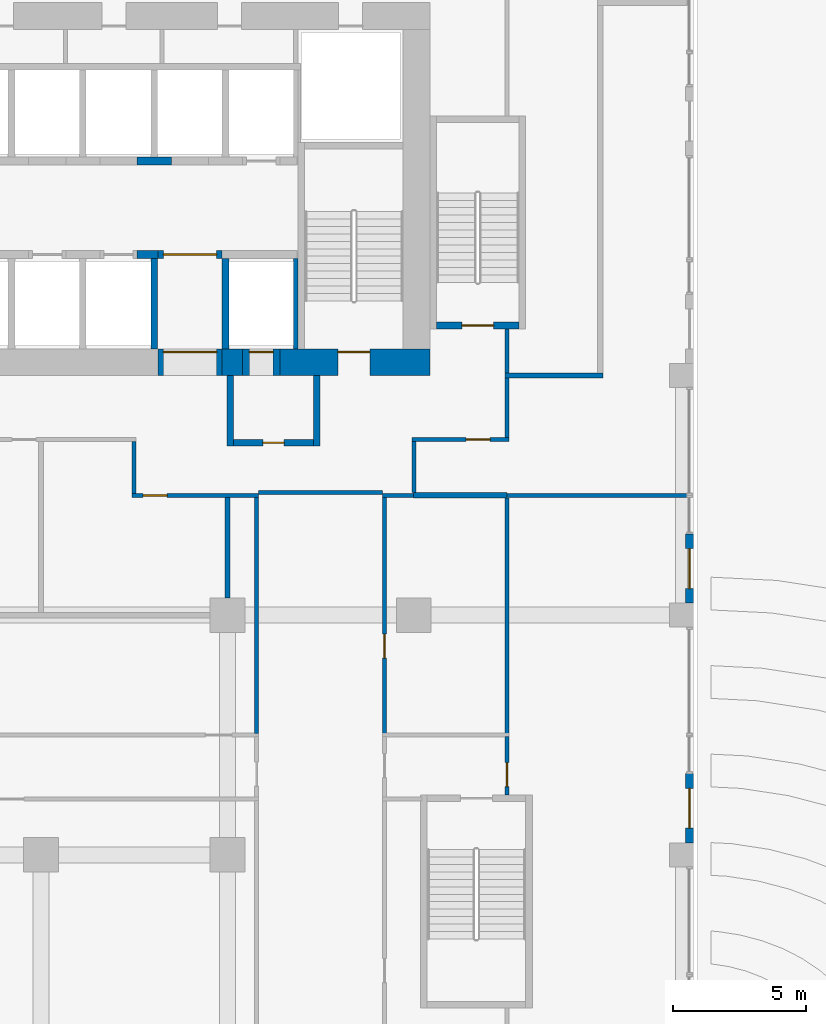
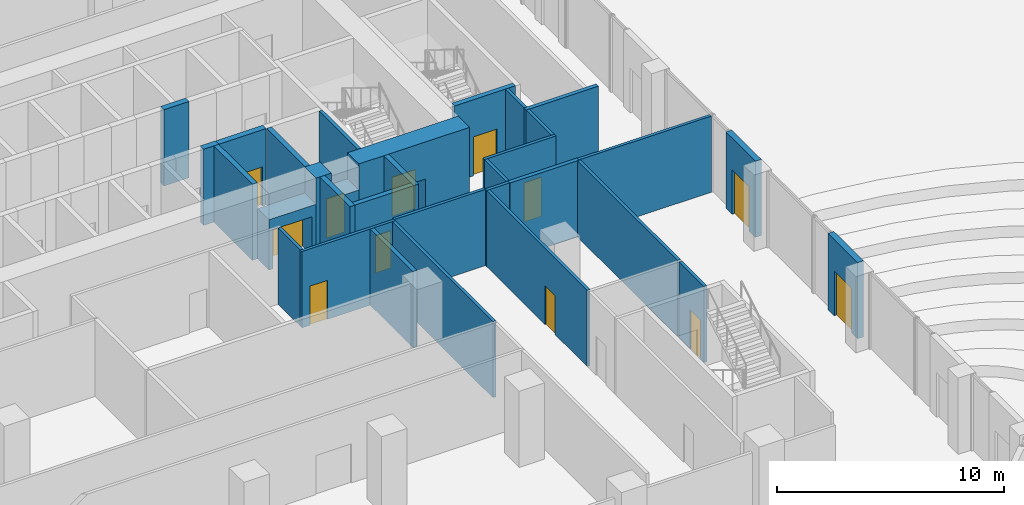
# One storey, part 23 of 38: 32 walls, 12 doors, 12 openings.
"""IFC4 building model written with IfcOpenShell, lengths in metres."""

from ifc_helpers import new_model, si_unit, direction, frame, frame_2d, origin, place, context, subcontext, project, spatial, rectangle, extrude, source, transform, mapped, material, layer, layer_set, type_object, element, fill, save


model = new_model("IFC4")

# Units and contexts
model_context = context("Model", 3, precision=1e-05, world=origin(), true_north=direction((0.0, 1.0)))
body_context = subcontext(model_context, "Body", "Model", "MODEL_VIEW")
ifc_project = project(units=[si_unit("LENGTHUNIT", "METRE"), si_unit("AREAUNIT", "SQUARE_METRE"), si_unit("VOLUMEUNIT", "CUBIC_METRE"), si_unit("PLANEANGLEUNIT", "RADIAN"), si_unit("MASSUNIT", "GRAM", prefix="KILO")], contexts=[model_context])

# Site, building, storey
site_placement = place(None, origin())
site = spatial("IfcSite", under=ifc_project, at=site_placement, CompositionType="ELEMENT")
building_placement = place(site_placement, origin())
building = spatial("IfcBuilding", under=site, at=building_placement, Name="Kilnfold Tower and Market Hall", CompositionType="ELEMENT")
storey_placement = place(building_placement, frame((0.0, 0.0, 9.0)))
storey = spatial("IfcBuildingStorey", under=building, at=storey_placement, Name="L01", CompositionType="ELEMENT", Elevation=9.0)

# Wall, opening, door
ifc_material_1 = material(Name="Gypsum board on steel studs", Category="steel")
ifc_layer_1 = layer(ifc_material_1, 0.14990234375)
ifc_layer_set_1 = layer_set([ifc_layer_1], Name="Gypsum board on steel studs")
wall_type_1 = type_object("IfcWallType", Name="WALL CORRIDOR 150", PredefinedType="PARTITIONING", material=ifc_layer_set_1)
wall_1_placement = place(storey_placement, frame((21.0, -7.75, 0.0), z_axis=(0.0, 0.0, 1.0), x_axis=(0.0, 1.0, 0.0)))
wall_1 = element("IfcWall", 1, at=wall_1_placement, inside=storey, type_object=wall_type_1, Name="Partition LY02.1", PredefinedType="PARTITIONING", context=body_context, shape_type="SweptSolid", body=[
    extrude(rectangle(XDim=2.18505859375, YDim=0.14990234375, at=frame_2d((1.092529296875, 0.0))), origin(), (0.0, 0.0, 1.0), 4.10009765625),
])
opening_1_placement = place(wall_1_placement, frame((0.31103515625, 0.0, 0.0)))
opening_1 = element("IfcOpeningElement", 2, at=opening_1_placement, cuts=wall_1, Name="Opening D2", PredefinedType="OPENING", context=body_context, shape_type="SweptSolid", body=[
    extrude(rectangle(XDim=0.89990234375, YDim=2.10009765625, at=frame_2d((0.449951171875, 1.050048828125))), frame((0.0, 0.0849609375, 0.0), z_axis=(0.0, -1.0, 0.0), x_axis=(1.0, 0.0, 0.0)), (0.0, 0.0, 1.0), 0.169921875),
])
ifc_material_2 = material(Name="Timber veneer door leaf in steel frame", Category="steel")
door_type_1 = type_object("IfcDoorType", Name="DOOR ROOM 900 X2100", OperationType="NOTDEFINED", PredefinedType="DOOR", material=ifc_material_2)
door_1_placement = place(opening_1_placement, origin())
door_1 = element("IfcDoor", 3, at=door_1_placement, inside=storey, type_object=door_type_1, Name="Door D2", OperationType="SINGLE_SWING_RIGHT", OverallHeight=2.10009765625, OverallWidth=0.89990234375, PredefinedType="DOOR", context=body_context, shape_type="SweptSolid", body=[
    extrude(rectangle(XDim=0.89990234375, YDim=2.10009765625, at=frame_2d((0.449951171875, 1.050048828125))), frame((0.0, 0.02490234375, 0.0), z_axis=(0.0, -1.0, 0.0), x_axis=(1.0, 0.0, 0.0)), (0.0, 0.0, 1.0), 0.050048828125),
])
fill(opening_1, door_1)

# Walls
wall_2_placement = place(storey_placement, frame((21.0, -5.43408203125, 0.0), z_axis=(0.0, 0.0, 1.0), x_axis=(0.0, 1.0, 0.0)))
element("IfcWall", 4, at=wall_2_placement, inside=storey, type_object=wall_type_1, Name="Partition LY02.6", PredefinedType="PARTITIONING", context=body_context, shape_type="SweptSolid", body=[
    extrude(rectangle(XDim=8.833984375, YDim=0.14990234375, at=frame_2d((4.4169921875, 0.0))), origin(), (0.0, 0.0, 1.0), 4.10009765625),
])
wall_3_placement = place(storey_placement, frame((20.9990234375, 3.5, 0.0), z_axis=(0.0, 0.0, 1.0), x_axis=(1.0, 0.0, 0.0)))
element("IfcWall", 5, at=wall_3_placement, inside=storey, type_object=wall_type_1, Name="Partition LY02.7", PredefinedType="PARTITIONING", context=body_context, shape_type="SweptSolid", body=[
    extrude(rectangle(XDim=6.7509765625, YDim=0.14990234375, at=frame_2d((3.37548828125, 0.0))), origin(), (0.0, 0.0, 1.0), 4.10009765625),
])
wall_4_placement = place(storey_placement, frame((16.324951171875, 3.60009765625, 0.0), z_axis=(0.0, 0.0, 1.0), x_axis=(-1.0, 0.0, 0.0)))
element("IfcWall", 6, at=wall_4_placement, inside=storey, type_object=wall_type_1, Name="Partition LY02.12", PredefinedType="PARTITIONING", context=body_context, shape_type="SweptSolid", body=[
    extrude(rectangle(XDim=4.64990234375, YDim=0.14990234375, at=frame_2d((2.324951171875, 0.0))), origin(), (0.0, 0.0, 1.0), 4.10009765625),
])
wall_5_placement = place(storey_placement, frame((11.60009765625, -5.43408203125, 0.0), z_axis=(0.0, 0.0, 1.0), x_axis=(0.0, 1.0, 0.0)))
element("IfcWall", 7, at=wall_5_placement, inside=storey, type_object=wall_type_1, Name="Partition LY02.14", PredefinedType="PARTITIONING", context=body_context, shape_type="SweptSolid", body=[
    extrude(rectangle(XDim=8.8681640625, YDim=0.14990234375, at=frame_2d((4.43408203125, 0.0))), origin(), (0.0, 0.0, 1.0), 4.10009765625),
])

# Wall, opening, door
wall_6_placement = place(storey_placement, frame((16.39990234375, -5.43408203125, 0.0), z_axis=(0.0, 0.0, 1.0), x_axis=(0.0, 1.0, 0.0)))
wall_6 = element("IfcWall", 8, at=wall_6_placement, inside=storey, type_object=wall_type_1, Name="Partition LY02.15", PredefinedType="PARTITIONING", context=body_context, shape_type="SweptSolid", body=[
    extrude(rectangle(XDim=8.8681640625, YDim=0.14990234375, at=frame_2d((4.43408203125, 0.0))), origin(), (0.0, 0.0, 1.0), 4.10009765625),
])
opening_2_placement = place(wall_6_placement, frame((2.823974609375, 0.0, 0.0)))
opening_2 = element("IfcOpeningElement", 9, at=opening_2_placement, cuts=wall_6, Name="Opening D2", PredefinedType="OPENING", context=body_context, shape_type="SweptSolid", body=[
    extrude(rectangle(XDim=0.89990234375, YDim=2.10009765625, at=frame_2d((0.449951171875, 1.050048828125))), frame((0.0, 0.0849609375, 0.0), z_axis=(0.0, -1.0, 0.0), x_axis=(1.0, 0.0, 0.0)), (0.0, 0.0, 1.0), 0.169921875),
])
door_2_placement = place(opening_2_placement, origin())
door_2 = element("IfcDoor", 10, at=door_2_placement, inside=storey, type_object=door_type_1, Name="Door D2", OperationType="SINGLE_SWING_LEFT", OverallHeight=2.10009765625, OverallWidth=0.89990234375, PredefinedType="DOOR", context=body_context, shape_type="SweptSolid", body=[
    extrude(rectangle(XDim=0.89990234375, YDim=2.10009765625, at=frame_2d((0.449951171875, 1.050048828125))), frame((0.0, 0.02490234375, 0.0), z_axis=(0.0, -1.0, 0.0), x_axis=(1.0, 0.0, 0.0)), (0.0, 0.0, 1.0), 0.050048828125),
])
fill(opening_2, door_2)

wall_7_placement = place(storey_placement, frame((6.925048828125, 3.5, 0.0), z_axis=(0.0, 0.0, 1.0), x_axis=(1.0, 0.0, 0.0)))
wall_7 = element("IfcWall", 11, at=wall_7_placement, inside=storey, type_object=wall_type_1, Name="Partition LY02.34", PredefinedType="PARTITIONING", context=body_context, shape_type="SweptSolid", body=[
    extrude(rectangle(XDim=4.75, YDim=0.14990234375, at=frame_2d((2.375, 0.0))), origin(), (0.0, 0.0, 1.0), 4.10009765625),
])
opening_3_placement = place(wall_7_placement, frame((0.407958984375, 0.0, 0.0)))
opening_3 = element("IfcOpeningElement", 12, at=opening_3_placement, cuts=wall_7, Name="Opening D2", PredefinedType="OPENING", context=body_context, shape_type="SweptSolid", body=[
    extrude(rectangle(XDim=0.89990234375, YDim=2.10009765625, at=frame_2d((0.449951171875, 1.050048828125))), frame((0.0, 0.0849609375, 0.0), z_axis=(0.0, -1.0, 0.0), x_axis=(1.0, 0.0, 0.0)), (0.0, 0.0, 1.0), 0.169921875),
])
door_3_placement = place(opening_3_placement, origin())
door_3 = element("IfcDoor", 13, at=door_3_placement, inside=storey, type_object=door_type_1, Name="Door D2", OperationType="SINGLE_SWING_LEFT", OverallHeight=2.10009765625, OverallWidth=0.89990234375, PredefinedType="DOOR", context=body_context, shape_type="SweptSolid", body=[
    extrude(rectangle(XDim=0.89990234375, YDim=2.10009765625, at=frame_2d((0.449951171875, 1.050048828125))), frame((0.0, 0.02490234375, 0.0), z_axis=(0.0, -1.0, 0.0), x_axis=(1.0, 0.0, 0.0)), (0.0, 0.0, 1.0), 0.050048828125),
])
fill(opening_3, door_3)

# Walls
wall_8_placement = place(storey_placement, frame((7.0, 5.52490234375, 0.0), z_axis=(0.0, 0.0, 1.0), x_axis=(0.0, -1.0, 0.0)))
element("IfcWall", 14, at=wall_8_placement, inside=storey, type_object=wall_type_1, Name="Partition LY02.35", PredefinedType="PARTITIONING", context=body_context, shape_type="SweptSolid", body=[
    extrude(rectangle(XDim=1.949951171875, YDim=0.14990234375, at=frame_2d((0.97509765625, 0.0))), origin(), (0.0, 0.0, 1.0), 4.10009765625),
])
wall_9_placement = place(storey_placement, frame((21.0, 8.090087890625, 0.0), z_axis=(0.0, 0.0, 1.0), x_axis=(0.0, 1.0, 0.0)))
element("IfcWall", 15, at=wall_9_placement, inside=storey, type_object=wall_type_1, Name="Partition LY02.36", PredefinedType="PARTITIONING", context=body_context, shape_type="SweptSolid", body=[
    extrude(rectangle(XDim=1.659912109375, YDim=0.14990234375, at=frame_2d((0.830078125, 0.0))), origin(), (0.0, 0.0, 1.0), 4.10009765625),
])
wall_10_placement = place(storey_placement, frame((16.324951171875, 3.5, 0.0), z_axis=(0.0, 0.0, 1.0), x_axis=(1.0, 0.0, 0.0)))
element("IfcWall", 16, at=wall_10_placement, inside=storey, type_object=wall_type_1, Name="Partition LY02.38", PredefinedType="PARTITIONING", context=body_context, shape_type="SweptSolid", body=[
    extrude(rectangle(XDim=1.166015625, YDim=0.14990234375, at=frame_2d((0.5830078125, 0.0))), origin(), (0.0, 0.0, 1.0), 4.10009765625),
])
wall_11_placement = place(storey_placement, frame((21.0, 5.675048828125, 0.0), z_axis=(0.0, 0.0, 1.0), x_axis=(0.0, 1.0, 0.0)))
element("IfcWall", 17, at=wall_11_placement, inside=storey, type_object=wall_type_1, Name="Partition LY02.39", PredefinedType="PARTITIONING", context=body_context, shape_type="SweptSolid", body=[
    extrude(rectangle(XDim=2.23486328125, YDim=0.14990234375, at=frame_2d((1.117431640625, 0.0))), origin(), (0.0, 0.0, 1.0), 4.10009765625),
])

# Wall, opening, door
wall_12_placement = place(storey_placement, frame((17.425048828125, 5.60009765625, 0.0), z_axis=(0.0, 0.0, 1.0), x_axis=(1.0, 0.0, 0.0)))
wall_12 = element("IfcWall", 18, at=wall_12_placement, inside=storey, type_object=wall_type_1, Name="Partition LY02.40", PredefinedType="PARTITIONING", context=body_context, shape_type="SweptSolid", body=[
    extrude(rectangle(XDim=3.64990234375, YDim=0.14990234375, at=frame_2d((1.824951171875, 0.0))), origin(), (0.0, 0.0, 1.0), 4.10009765625),
])
opening_4_placement = place(wall_12_placement, frame((2.0390625, 0.0, 0.0)))
opening_4 = element("IfcOpeningElement", 19, at=opening_4_placement, cuts=wall_12, Name="Opening D2", PredefinedType="OPENING", context=body_context, shape_type="SweptSolid", body=[
    extrude(rectangle(XDim=0.89990234375, YDim=2.10009765625, at=frame_2d((0.449951171875, 1.050048828125))), frame((0.0, 0.0849609375, 0.0), z_axis=(0.0, -1.0, 0.0), x_axis=(1.0, 0.0, 0.0)), (0.0, 0.0, 1.0), 0.169921875),
])
door_4_placement = place(opening_4_placement, origin())
door_4 = element("IfcDoor", 20, at=door_4_placement, inside=storey, type_object=door_type_1, Name="Door D2", OperationType="SINGLE_SWING_LEFT", OverallHeight=2.10009765625, OverallWidth=0.89990234375, PredefinedType="DOOR", context=body_context, shape_type="SweptSolid", body=[
    extrude(rectangle(XDim=0.89990234375, YDim=2.10009765625, at=frame_2d((0.449951171875, 1.050048828125))), frame((0.0, 0.02490234375, 0.0), z_axis=(0.0, -1.0, 0.0), x_axis=(1.0, 0.0, 0.0)), (0.0, 0.0, 1.0), 0.050048828125),
])
fill(opening_4, door_4)

# Walls
wall_13_placement = place(storey_placement, frame((17.5, 3.59912109375, 0.0), z_axis=(0.0, 0.0, 1.0), x_axis=(0.0, 1.0, 0.0)))
element("IfcWall", 21, at=wall_13_placement, inside=storey, type_object=wall_type_1, Name="Partition LY02.41", PredefinedType="PARTITIONING", context=body_context, shape_type="SweptSolid", body=[
    extrude(rectangle(XDim=1.92578125, YDim=0.14990234375, at=frame_2d((0.962890625, 0.0))), origin(), (0.0, 0.0, 1.0), 4.10009765625),
])
ifc_material_3 = material(Name="Gypsum board on steel studs", Category="steel")
ifc_layer_2 = layer(ifc_material_3, 0.199951171875)
ifc_layer_set_2 = layer_set([ifc_layer_2], Name="Gypsum board on steel studs")
wall_type_2 = type_object("IfcWallType", Name="WALL PARTY 200", PredefinedType="PARTITIONING", material=ifc_layer_set_2)
wall_14_placement = place(storey_placement, frame((10.5, -0.35009765625, 0.0), z_axis=(0.0, 0.0, 1.0), x_axis=(0.0, 1.0, 0.0)))
element("IfcWall", 22, at=wall_14_placement, inside=storey, type_object=wall_type_2, Name="Partition LY02.57", PredefinedType="PARTITIONING", context=body_context, shape_type="SweptSolid", body=[
    extrude(rectangle(XDim=3.774169921875, YDim=0.199951171875, at=frame_2d((1.88720703125, 0.0))), origin(), (0.0, 0.0, 1.0), 4.10009765625),
])
wall_15_placement = place(storey_placement, frame((20.926025390625, 8.0, 0.0), z_axis=(0.0, 0.0, 1.0), x_axis=(1.0, 0.0, 0.0)))
element("IfcWall", 23, at=wall_15_placement, inside=storey, type_object=wall_type_2, Name="Partition LY02.60", PredefinedType="PARTITIONING", context=body_context, shape_type="SweptSolid", body=[
    extrude(rectangle(XDim=3.674072265625, YDim=0.199951171875, at=frame_2d((1.8369140625, 0.0))), origin(), (0.0, 0.0, 1.0), 4.10009765625),
])
wall_16_placement = place(storey_placement, frame((20.9990234375, 3.5, 0.0), z_axis=(0.0, 0.0, 1.0), x_axis=(-0.999999961253, -0.000278377051, 0.0)))
element("IfcWall", 24, at=wall_16_placement, inside=storey, type_object=wall_type_2, Name="Partition LY02.62", PredefinedType="PARTITIONING", context=body_context, shape_type="SweptSolid", body=[
    extrude(rectangle(XDim=3.508056640625, YDim=0.199951171875, at=frame_2d((1.75390625, 0.0))), origin(), (0.0, 0.0, 1.0), 4.10009765625),
])
ifc_material_4 = material(Name="Concrete C80", Category="concrete")
ifc_layer_3 = layer(ifc_material_4, 1.0)
ifc_layer_set_3 = layer_set([ifc_layer_3], Name="Concrete C80")
wall_type_3 = type_object("IfcWallType", Name="CORE WALL 1000 C80", PredefinedType="SHEAR", material=ifc_layer_set_3)
shared_shape_1 = source(origin(), body_context, "Body", "SweptSolid", [
    extrude(rectangle(XDim=0.780029296875, YDim=1.0, at=frame_2d((0.39013671875, 0.0))), origin(), (0.0, 0.0, 1.0), 4.10009765625),
])
wall_17_placement = place(storey_placement, frame((10.2900390625, 8.5, 0.0), z_axis=(0.0, 0.0, 1.0), x_axis=(1.0, 0.0, 0.0)))
element("IfcWall", 25, at=wall_17_placement, inside=storey, type_object=wall_type_3, Name="Core outer wall south", PredefinedType="SHEAR", context=body_context, shape_type="MappedRepresentation", body=[
    mapped(shared_shape_1, transform((0.0, 0.0, 0.0))),
])

# Wall, opening, door
shared_shape_2 = source(origin(), body_context, "Body", "SweptSolid", [
    extrude(rectangle(XDim=5.630126953125, YDim=1.0, at=frame_2d((2.81494140625, 0.0))), origin(), (0.0, 0.0, 1.0), 4.10009765625),
])
wall_18_placement = place(storey_placement, frame((12.469970703125, 8.5, 0.0), z_axis=(0.0, 0.0, 1.0), x_axis=(1.0, 0.0, 0.0)))
wall_18 = element("IfcWall", 26, at=wall_18_placement, inside=storey, type_object=wall_type_3, Name="Core outer wall south", PredefinedType="SHEAR", context=body_context, shape_type="MappedRepresentation", body=[
    mapped(shared_shape_2, transform((0.0, 0.0, 0.0))),
])
opening_5_placement = place(wall_18_placement, frame((2.179931640625, 0.0, 0.0)))
opening_5 = element("IfcOpeningElement", 27, at=opening_5_placement, cuts=wall_18, Name="Opening SD1", PredefinedType="OPENING", context=body_context, shape_type="SweptSolid", body=[
    extrude(rectangle(XDim=1.199951171875, YDim=2.10009765625, at=frame_2d((0.60009765625, 1.050048828125))), frame((0.0, 0.510009765625, 0.0), z_axis=(0.0, -1.0, 0.0), x_axis=(1.0, 0.0, 0.0)), (0.0, 0.0, 1.0), 1.02001953125),
])
ifc_material_5 = material(Name="Steel door set with fire-resisting leaf", Category="steel")
door_type_2 = type_object("IfcDoorType", Name="STAIR FLOOR DOOR 1200X2100", OperationType="NOTDEFINED", PredefinedType="DOOR", material=ifc_material_5)
door_5_placement = place(opening_5_placement, origin())
door_5 = element("IfcDoor", 28, at=door_5_placement, inside=storey, type_object=door_type_2, Name="Exit stair ST2 door", OperationType="DOUBLE_DOOR_SINGLE_SWING", OverallHeight=2.10009765625, OverallWidth=1.199951171875, PredefinedType="DOOR", context=body_context, shape_type="SweptSolid", body=[
    extrude(rectangle(XDim=1.199951171875, YDim=2.10009765625, at=frame_2d((0.60009765625, 1.050048828125))), frame((0.0, 0.40478515625, 0.0), z_axis=(0.0, -1.0, 0.0), x_axis=(1.0, 0.0, 0.0)), (0.0, 0.0, 1.0), 0.050048828125),
])
fill(opening_5, door_5)

ifc_material_6 = material(Name="Concrete C80", Category="concrete")
ifc_layer_4 = layer(ifc_material_6, 0.25)
ifc_layer_set_4 = layer_set([ifc_layer_4], Name="Concrete C80")
wall_type_4 = type_object("IfcWallType", Name="CORE WALL 250 C80", PredefinedType="SHEAR", material=ifc_layer_set_4)
shared_shape_3 = source(origin(), body_context, "Body", "SweptSolid", [
    extrude(rectangle(XDim=3.099853515625, YDim=0.25, at=frame_2d((1.5498046875, 0.0))), origin(), (0.0, 0.0, 1.0), 4.10009765625),
])
wall_19_placement = place(storey_placement, frame((18.35009765625, 9.875, 0.0), z_axis=(0.0, 0.0, 1.0), x_axis=(1.0, 0.0, 0.0)))
wall_19 = element("IfcWall", 29, at=wall_19_placement, inside=storey, type_object=wall_type_4, Name="Stair enclosure ST5", PredefinedType="SHEAR", context=body_context, shape_type="MappedRepresentation", body=[
    mapped(shared_shape_3, transform((0.0, 0.0, 0.0))),
])
opening_6_placement = place(wall_19_placement, frame((0.949951171875, 0.0, 0.0)))
opening_6 = element("IfcOpeningElement", 30, at=opening_6_placement, cuts=wall_19, Name="Opening SD1", PredefinedType="OPENING", context=body_context, shape_type="SweptSolid", body=[
    extrude(rectangle(XDim=1.199951171875, YDim=2.10009765625, at=frame_2d((0.60009765625, 1.050048828125))), frame((0.0, 0.135009765625, 0.0), z_axis=(0.0, -1.0, 0.0), x_axis=(1.0, 0.0, 0.0)), (0.0, 0.0, 1.0), 0.27001953125),
])
door_6_placement = place(opening_6_placement, origin())
door_6 = element("IfcDoor", 31, at=door_6_placement, inside=storey, type_object=door_type_2, Name="Exit stair ST5 door", OperationType="DOUBLE_DOOR_SINGLE_SWING", OverallHeight=2.10009765625, OverallWidth=1.199951171875, PredefinedType="DOOR", context=body_context, shape_type="SweptSolid", body=[
    extrude(rectangle(XDim=1.199951171875, YDim=2.10009765625, at=frame_2d((0.60009765625, 1.050048828125))), frame((0.0, 0.02490234375, 0.0), z_axis=(0.0, -1.0, 0.0), x_axis=(1.0, 0.0, 0.0)), (0.0, 0.0, 1.0), 0.050048828125),
])
fill(opening_6, door_6)

# Walls
ifc_material_7 = material(Name="Concrete C80", Category="concrete")
ifc_layer_5 = layer(ifc_material_7, 0.300048828125)
ifc_layer_set_5 = layer_set([ifc_layer_5], Name="Concrete C80")
wall_type_5 = type_object("IfcWallType", Name="CORE WALL 300 C80", PredefinedType="SHEAR", material=ifc_layer_set_5)
shared_shape_4 = source(origin(), body_context, "Body", "SweptSolid", [
    extrude(rectangle(XDim=0.77978515625, YDim=0.300048828125, at=frame_2d((0.389892578125, 0.0))), origin(), (0.0, 0.0, 1.0), 4.10009765625),
])
wall_20_placement = place(storey_placement, frame((7.110107421875, 12.550048828125, 0.0), z_axis=(0.0, 0.0, 1.0), x_axis=(1.0, 0.0, 0.0)))
element("IfcWall", 32, at=wall_20_placement, inside=storey, type_object=wall_type_5, Name="Core spine wall", PredefinedType="SHEAR", context=body_context, shape_type="MappedRepresentation", body=[
    mapped(shared_shape_4, transform((0.0, 0.0, 0.0))),
])
shared_shape_5 = source(origin(), body_context, "Body", "SweptSolid", [
    extrude(rectangle(XDim=1.27978515625, YDim=0.300048828125, at=frame_2d((0.639892578125, 0.0))), origin(), (0.0, 0.0, 1.0), 4.10009765625),
])
wall_21_placement = place(storey_placement, frame((7.110107421875, 16.050048828125, 0.0), z_axis=(0.0, 0.0, 1.0), x_axis=(1.0, 0.0, 0.0)))
element("IfcWall", 33, at=wall_21_placement, inside=storey, type_object=wall_type_5, Name="Core spine wall", PredefinedType="SHEAR", context=body_context, shape_type="MappedRepresentation", body=[
    mapped(shared_shape_5, transform((0.0, 0.0, 0.0))),
])

# Wall, opening, door
ifc_material_8 = material(Name="Precast concrete C50/60", Category="concrete")
ifc_layer_6 = layer(ifc_material_8, 0.300048828125)
ifc_layer_set_6 = layer_set([ifc_layer_6], Name="Precast concrete C50/60")
wall_type_6 = type_object("IfcWallType", Name="PRECAST WALL 300", PredefinedType="SOLIDWALL", material=ifc_layer_set_6)
shared_shape_6 = source(origin(), body_context, "Body", "SweptSolid", [
    extrude(rectangle(XDim=2.60009765625, YDim=0.300048828125, at=frame_2d((1.300048828125, 0.0))), origin(), (0.0, 0.0, 1.0), 4.10009765625),
])
wall_22_placement = place(storey_placement, frame((27.85009765625, -9.550048828125, 0.0), z_axis=(0.0, 0.0, 1.0), x_axis=(0.0, 1.0, 0.0)))
wall_22 = element("IfcWall", 34, at=wall_22_placement, inside=storey, type_object=wall_type_6, Name="Deck door wall L01 E", PredefinedType="SOLIDWALL", context=body_context, shape_type="MappedRepresentation", body=[
    mapped(shared_shape_6, transform((0.0, 0.0, 0.0))),
])
opening_7_placement = place(wall_22_placement, frame((0.550048828125, 0.0, 0.0)))
opening_7 = element("IfcOpeningElement", 35, at=opening_7_placement, cuts=wall_22, Name="Opening DD1", PredefinedType="OPENING", context=body_context, shape_type="SweptSolid", body=[
    extrude(rectangle(XDim=1.5, YDim=2.39990234375, at=frame_2d((0.75, 1.199951171875))), frame((0.0, 0.16015625, 0.0), z_axis=(0.0, -1.0, 0.0), x_axis=(1.0, 0.0, 0.0)), (0.0, 0.0, 1.0), 0.320068359375),
])
ifc_material_9 = material(Name="Aluminium frame and toughened glass", Category="aluminium")
door_type_3 = type_object("IfcDoorType", Name="DECK DOOR 1500X2400", OperationType="NOTDEFINED", PredefinedType="DOOR", material=ifc_material_9)
door_7_placement = place(opening_7_placement, origin())
door_7 = element("IfcDoor", 36, at=door_7_placement, inside=storey, type_object=door_type_3, Name="Garden deck door DD1 L01 E-1", OperationType="DOUBLE_DOOR_SINGLE_SWING", OverallHeight=2.39990234375, OverallWidth=1.5, PredefinedType="DOOR", context=body_context, shape_type="SweptSolid", body=[
    extrude(rectangle(XDim=1.5, YDim=2.39990234375, at=frame_2d((0.75, 1.199951171875))), frame((0.0, 0.02490234375, 0.0), z_axis=(0.0, -1.0, 0.0), x_axis=(1.0, 0.0, 0.0)), (0.0, 0.0, 1.0), 0.050048828125),
])
fill(opening_7, door_7)

wall_23_placement = place(storey_placement, frame((27.85009765625, -0.550048828125, 0.0), z_axis=(0.0, 0.0, 1.0), x_axis=(0.0, 1.0, 0.0)))
wall_23 = element("IfcWall", 37, at=wall_23_placement, inside=storey, type_object=wall_type_6, Name="Deck door wall L01 E", PredefinedType="SOLIDWALL", context=body_context, shape_type="MappedRepresentation", body=[
    mapped(shared_shape_6, transform((0.0, 0.0, 0.0))),
])
opening_8_placement = place(wall_23_placement, frame((0.550048828125, 0.0, 0.0)))
opening_8 = element("IfcOpeningElement", 38, at=opening_8_placement, cuts=wall_23, Name="Opening DD1", PredefinedType="OPENING", context=body_context, shape_type="SweptSolid", body=[
    extrude(rectangle(XDim=1.5, YDim=2.39990234375, at=frame_2d((0.75, 1.199951171875))), frame((0.0, 0.16015625, 0.0), z_axis=(0.0, -1.0, 0.0), x_axis=(1.0, 0.0, 0.0)), (0.0, 0.0, 1.0), 0.320068359375),
])
door_8_placement = place(opening_8_placement, origin())
door_8 = element("IfcDoor", 39, at=door_8_placement, inside=storey, type_object=door_type_3, Name="Garden deck door DD1 L01 E-1", OperationType="DOUBLE_DOOR_SINGLE_SWING", OverallHeight=2.39990234375, OverallWidth=1.5, PredefinedType="DOOR", context=body_context, shape_type="SweptSolid", body=[
    extrude(rectangle(XDim=1.5, YDim=2.39990234375, at=frame_2d((0.75, 1.199951171875))), frame((0.0, 0.02490234375, 0.0), z_axis=(0.0, -1.0, 0.0), x_axis=(1.0, 0.0, 0.0)), (0.0, 0.0, 1.0), 0.050048828125),
])
fill(opening_8, door_8)

# Walls
ifc_material_10 = material(Name="Gypsum shaft wall system")
ifc_layer_7 = layer(ifc_material_10, 0.25)
ifc_layer_set_7 = layer_set([ifc_layer_7], Name="Gypsum shaft wall system")
wall_type_7 = type_object("IfcWallType", Name="LOBBY WALL 250", PredefinedType="PARTITIONING", material=ifc_layer_set_7)
shared_shape_7 = source(origin(), body_context, "Body", "SweptSolid", [
    extrude(rectangle(XDim=2.64990234375, YDim=0.25, at=frame_2d((1.324951171875, 0.0))), origin(), (0.0, 0.0, 1.0), 4.10009765625),
])
for number, where, z_axis, x_axis, name in (
    (40, (10.60498046875, 5.35009765625, 0.0), (0.0, 0.0, 1.0), (0.0, 1.0, 0.0), "Firefighting lobby wall"),
    (41, (13.85498046875, 5.35009765625, 0.0), (0.0, 0.0, 1.0), (0.0, 1.0, 0.0), "Firefighting lobby wall"),
):
    element("IfcWall", number, at=place(storey_placement, frame(where, z_axis=z_axis, x_axis=x_axis)), inside=storey, type_object=wall_type_7, Name=name, PredefinedType="PARTITIONING", context=body_context, shape_type="MappedRepresentation", body=[
        mapped(shared_shape_7, transform((0.0, 0.0, 0.0))),
    ])

# Wall, opening, door
shared_shape_8 = source(origin(), body_context, "Body", "SweptSolid", [
    extrude(rectangle(XDim=3.0, YDim=0.25, at=frame_2d((1.5, 0.0))), origin(), (0.0, 0.0, 1.0), 4.10009765625),
])
wall_24_placement = place(storey_placement, frame((10.72998046875, 5.47509765625, 0.0), z_axis=(0.0, 0.0, 1.0), x_axis=(1.0, 0.0, 0.0)))
wall_24 = element("IfcWall", 42, at=wall_24_placement, inside=storey, type_object=wall_type_7, Name="Firefighting lobby wall", PredefinedType="PARTITIONING", context=body_context, shape_type="MappedRepresentation", body=[
    mapped(shared_shape_8, transform((0.0, 0.0, 0.0))),
])
opening_9_placement = place(wall_24_placement, frame((1.10009765625, 0.0, 0.0)))
opening_9 = element("IfcOpeningElement", 43, at=opening_9_placement, cuts=wall_24, Name="Opening VD1", PredefinedType="OPENING", context=body_context, shape_type="SweptSolid", body=[
    extrude(rectangle(XDim=0.800048828125, YDim=2.0, at=frame_2d((0.39990234375, 1.0))), frame((0.0, 0.135009765625, 0.0), z_axis=(0.0, -1.0, 0.0), x_axis=(1.0, 0.0, 0.0)), (0.0, 0.0, 1.0), 0.27001953125),
])
ifc_material_11 = material(Name="Steel door set with fire-resisting leaf", Category="steel")
door_type_4 = type_object("IfcDoorType", Name="FIREFIGHTING LOBBY DOOR 800X2000", OperationType="NOTDEFINED", PredefinedType="DOOR", material=ifc_material_11)
door_9_placement = place(opening_9_placement, origin())
door_9 = element("IfcDoor", 44, at=door_9_placement, inside=storey, type_object=door_type_4, Name="Firefighting lobby door", OperationType="SINGLE_SWING_RIGHT", OverallHeight=2.0, OverallWidth=0.800048828125, PredefinedType="DOOR", context=body_context, shape_type="SweptSolid", body=[
    extrude(rectangle(XDim=0.800048828125, YDim=2.0, at=frame_2d((0.39990234375, 1.0))), frame((0.0, 0.02490234375, 0.0), z_axis=(0.0, -1.0, 0.0), x_axis=(1.0, 0.0, 0.0)), (0.0, 0.0, 1.0), 0.050048828125),
])
fill(opening_9, door_9)

# Walls
ifc_material_12 = material(Name="Gypsum shaft wall system")
ifc_layer_8 = layer(ifc_material_12, 0.25)
ifc_layer_set_8 = layer_set([ifc_layer_8], Name="Gypsum shaft wall system")
wall_type_8 = type_object("IfcWallType", Name="SHAFT WALL 250", PredefinedType="PARTITIONING", material=ifc_layer_set_8)
shared_shape_9 = source(origin(), body_context, "Body", "SweptSolid", [
    extrude(rectangle(XDim=3.39990234375, YDim=0.25, at=frame_2d((1.699951171875, 0.0))), origin(), (0.0, 0.0, 1.0), 4.10009765625),
])
for number, where, z_axis, x_axis, name in (
    (45, (10.429931640625, 9.0, 0.0), (0.0, 0.0, 1.0), (0.0, 1.0, 0.0), "Lift shaft wall"),
    (46, (7.75, 9.0, 0.0), (0.0, 0.0, 1.0), (0.0, 1.0, 0.0), "Lift shaft wall"),
):
    element("IfcWall", number, at=place(storey_placement, frame(where, z_axis=z_axis, x_axis=x_axis)), inside=storey, type_object=wall_type_8, Name=name, PredefinedType="PARTITIONING", context=body_context, shape_type="MappedRepresentation", body=[
        mapped(shared_shape_9, transform((0.0, 0.0, 0.0))),
    ])
ifc_material_13 = material(Name="Gypsum shaft wall system")
ifc_layer_9 = layer(ifc_material_13, 0.1650390625)
ifc_layer_set_9 = layer_set([ifc_layer_9], Name="Gypsum shaft wall system")
wall_type_9 = type_object("IfcWallType", Name="SHAFT WALL 165", PredefinedType="PARTITIONING", material=ifc_layer_set_9)
shared_shape_10 = source(origin(), body_context, "Body", "SweptSolid", [
    extrude(rectangle(XDim=3.39990234375, YDim=0.1650390625, at=frame_2d((1.699951171875, 0.0))), origin(), (0.0, 0.0, 1.0), 4.10009765625),
])
wall_25_placement = place(storey_placement, frame((13.0673828125, 9.0, 0.0), z_axis=(0.0, 0.0, 1.0), x_axis=(0.0, 1.0, 0.0)))
element("IfcWall", 47, at=wall_25_placement, inside=storey, type_object=wall_type_9, Name="Lift shaft wall", PredefinedType="PARTITIONING", context=body_context, shape_type="MappedRepresentation", body=[
    mapped(shared_shape_10, transform((0.0, 0.0, 0.0))),
])

# Wall, opening, door
ifc_material_14 = material(Name="Gypsum shaft wall system")
ifc_layer_10 = layer(ifc_material_14, 1.0)
ifc_layer_set_10 = layer_set([ifc_layer_10], Name="Gypsum shaft wall system")
wall_type_10 = type_object("IfcWallType", Name="LOBBY WALL 1000", PredefinedType="PARTITIONING", material=ifc_layer_set_10)
shared_shape_11 = source(origin(), body_context, "Body", "SweptSolid", [
    extrude(rectangle(XDim=1.39990234375, YDim=1.0, at=frame_2d((0.699951171875, 0.0))), origin(), (0.0, 0.0, 1.0), 2.699951171875),
])
wall_26_placement = place(storey_placement, frame((11.070068359375, 8.5, 0.0), z_axis=(0.0, 0.0, 1.0), x_axis=(1.0, 0.0, 0.0)))
wall_26 = element("IfcWall", 48, at=wall_26_placement, inside=storey, type_object=wall_type_10, Name="Core wall infill", PredefinedType="PARTITIONING", context=body_context, shape_type="MappedRepresentation", body=[
    mapped(shared_shape_11, transform((0.0, 0.0, 0.0))),
])
opening_10_placement = place(wall_26_placement, frame((0.25, 0.0, 0.0)))
opening_10 = element("IfcOpeningElement", 49, at=opening_10_placement, cuts=wall_26, Name="Opening LD1", PredefinedType="OPENING", context=body_context, shape_type="SweptSolid", body=[
    extrude(rectangle(XDim=0.89990234375, YDim=2.10009765625, at=frame_2d((0.449951171875, 1.050048828125))), frame((0.0, 0.510009765625, 0.0), z_axis=(0.0, -1.0, 0.0), x_axis=(1.0, 0.0, 0.0)), (0.0, 0.0, 1.0), 1.02001953125),
])
ifc_material_15 = material(Name="Steel door set with fire-resisting leaf", Category="steel")
door_type_5 = type_object("IfcDoorType", Name="FIREFIGHTING LANDING DOOR 900X2100", OperationType="NOTDEFINED", PredefinedType="DOOR", material=ifc_material_15)
door_10_placement = place(opening_10_placement, origin())
door_10 = element("IfcDoor", 50, at=door_10_placement, inside=storey, type_object=door_type_5, Name="Landing door FF3", OperationType="SLIDING_TO_LEFT", OverallHeight=2.10009765625, OverallWidth=0.89990234375, PredefinedType="DOOR", context=body_context, shape_type="SweptSolid", body=[
    extrude(rectangle(XDim=0.89990234375, YDim=2.10009765625, at=frame_2d((0.449951171875, 1.050048828125))), frame((0.0, 0.40478515625, 0.0), z_axis=(0.0, -1.0, 0.0), x_axis=(1.0, 0.0, 0.0)), (0.0, 0.0, 1.0), 0.050048828125),
])
fill(opening_10, door_10)

shared_shape_12 = source(origin(), body_context, "Body", "SweptSolid", [
    extrude(rectangle(XDim=2.400146484375, YDim=1.0, at=frame_2d((1.2001953125, 0.0))), origin(), (0.0, 0.0, 1.0), 2.699951171875),
])
wall_27_placement = place(storey_placement, frame((7.889892578125, 8.5, 0.0), z_axis=(0.0, 0.0, 1.0), x_axis=(1.0, 0.0, 0.0)))
wall_27 = element("IfcWall", 51, at=wall_27_placement, inside=storey, type_object=wall_type_10, Name="Core wall infill", PredefinedType="PARTITIONING", context=body_context, shape_type="MappedRepresentation", body=[
    mapped(shared_shape_12, transform((0.0, 0.0, 0.0))),
])
opening_11_placement = place(wall_27_placement, frame((0.199951171875, 0.0, 0.0)))
opening_11 = element("IfcOpeningElement", 52, at=opening_11_placement, cuts=wall_27, Name="Opening VD2", PredefinedType="OPENING", context=body_context, shape_type="SweptSolid", body=[
    extrude(rectangle(XDim=2.0, YDim=2.10009765625, at=frame_2d((1.0, 1.050048828125))), frame((0.0, 0.510009765625, 0.0), z_axis=(0.0, -1.0, 0.0), x_axis=(1.0, 0.0, 0.0)), (0.0, 0.0, 1.0), 1.02001953125),
])
ifc_material_16 = material(Name="Steel door set with fire-resisting leaf", Category="steel")
door_type_6 = type_object("IfcDoorType", Name="LIFT LOBBY ENTRANCE DOOR 2000X2100", OperationType="NOTDEFINED", PredefinedType="DOOR", material=ifc_material_16)
door_11_placement = place(opening_11_placement, origin())
door_11 = element("IfcDoor", 53, at=door_11_placement, inside=storey, type_object=door_type_6, Name="Lift lobby entrance door", OperationType="DOUBLE_DOOR_SINGLE_SWING", OverallHeight=2.10009765625, OverallWidth=2.0, PredefinedType="DOOR", context=body_context, shape_type="SweptSolid", body=[
    extrude(rectangle(XDim=2.0, YDim=2.10009765625, at=frame_2d((1.0, 1.050048828125))), frame((0.0, 0.40478515625, 0.0), z_axis=(0.0, -1.0, 0.0), x_axis=(1.0, 0.0, 0.0)), (0.0, 0.0, 1.0), 0.050048828125),
])
fill(opening_11, door_11)

ifc_material_17 = material(Name="Gypsum shaft wall system")
ifc_layer_11 = layer(ifc_material_17, 0.300048828125)
ifc_layer_set_11 = layer_set([ifc_layer_11], Name="Gypsum shaft wall system")
wall_type_11 = type_object("IfcWallType", Name="SHAFT WALL 300", PredefinedType="PARTITIONING", material=ifc_layer_set_11)
shared_shape_13 = source(origin(), body_context, "Body", "SweptSolid", [
    extrude(rectangle(XDim=2.400146484375, YDim=0.300048828125, at=frame_2d((1.2001953125, 0.0))), origin(), (0.0, 0.0, 1.0), 4.10009765625),
])
wall_28_placement = place(storey_placement, frame((7.889892578125, 12.550048828125, 0.0), z_axis=(0.0, 0.0, 1.0), x_axis=(1.0, 0.0, 0.0)))
wall_28 = element("IfcWall", 54, at=wall_28_placement, inside=storey, type_object=wall_type_11, Name="Lift shaft front wall", PredefinedType="PARTITIONING", context=body_context, shape_type="MappedRepresentation", body=[
    mapped(shared_shape_13, transform((0.0, 0.0, 0.0))),
])
opening_12_placement = place(wall_28_placement, frame((0.199951171875, 0.0, 0.0)))
opening_12 = element("IfcOpeningElement", 55, at=opening_12_placement, cuts=wall_28, Name="Opening VD2", PredefinedType="OPENING", context=body_context, shape_type="SweptSolid", body=[
    extrude(rectangle(XDim=2.0, YDim=2.10009765625, at=frame_2d((1.0, 1.050048828125))), frame((0.0, 0.16015625, 0.0), z_axis=(0.0, -1.0, 0.0), x_axis=(1.0, 0.0, 0.0)), (0.0, 0.0, 1.0), 0.320068359375),
])
door_12_placement = place(opening_12_placement, origin())
door_12 = element("IfcDoor", 56, at=door_12_placement, inside=storey, type_object=door_type_6, Name="Lift lobby entrance door", OperationType="DOUBLE_DOOR_SINGLE_SWING", OverallHeight=2.10009765625, OverallWidth=2.0, PredefinedType="DOOR", context=body_context, shape_type="SweptSolid", body=[
    extrude(rectangle(XDim=2.0, YDim=2.10009765625, at=frame_2d((1.0, 1.050048828125))), frame((0.0, 0.02490234375, 0.0), z_axis=(0.0, -1.0, 0.0), x_axis=(1.0, 0.0, 0.0)), (0.0, 0.0, 1.0), 0.050048828125),
])
fill(opening_12, door_12)

save(model, "model.ifc")
